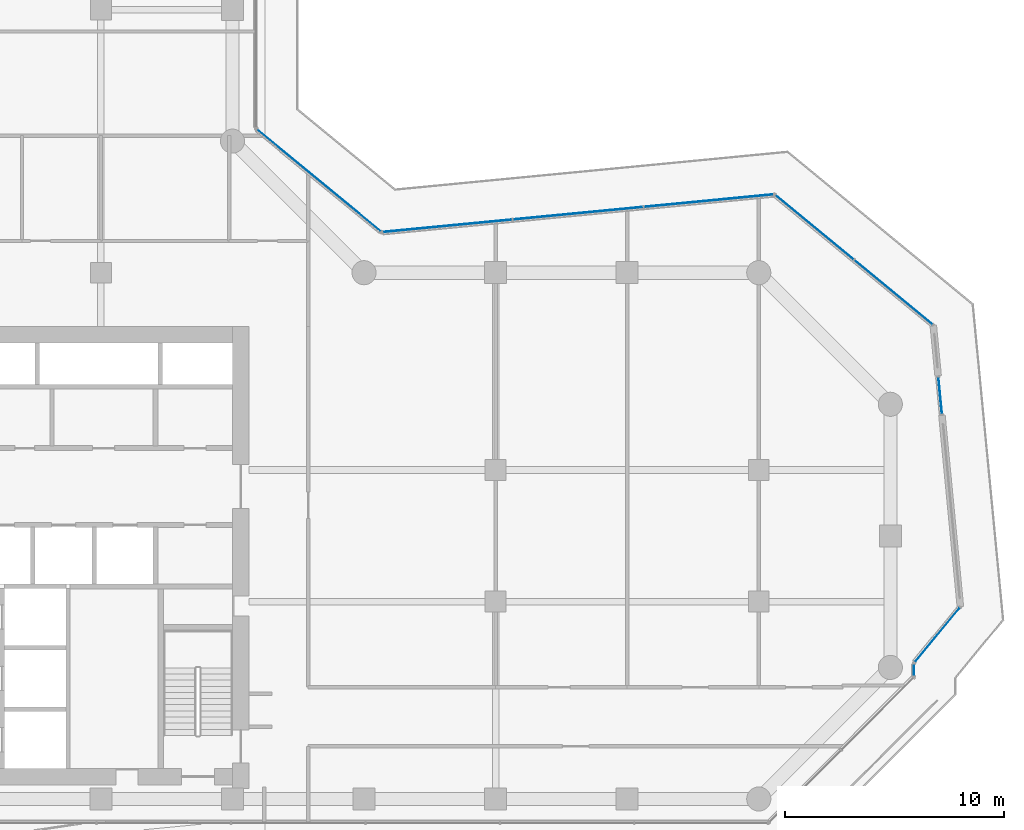
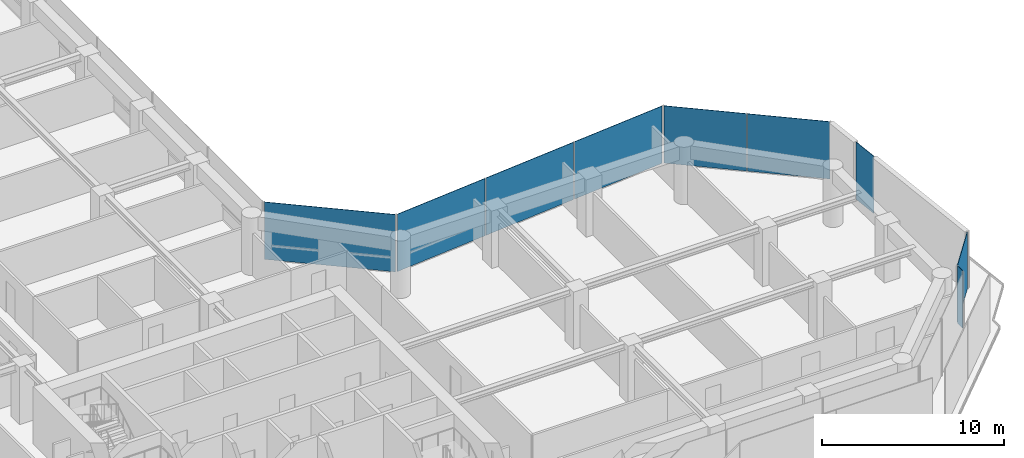
# One storey, part 21 of 28: 9 plates, 6 elements without a shape of their own.
"""IFC4 building model written with IfcOpenShell, lengths in metres."""

from ifc_helpers import new_model, si_unit, direction, frame, origin, origin_2d, place, context, subcontext, project, spatial, rectangle, extrude, material, layer, layer_set, type_object, element, aggregate, save


model = new_model("IFC4")

# Units and contexts
model_context = context("Model", 3, precision=1e-05, world=origin(), true_north=direction((0.0, 1.0)))
body_context = subcontext(model_context, "Body", "Model", "MODEL_VIEW")
ifc_project = project(units=[si_unit("LENGTHUNIT", "METRE"), si_unit("AREAUNIT", "SQUARE_METRE"), si_unit("VOLUMEUNIT", "CUBIC_METRE"), si_unit("PLANEANGLEUNIT", "RADIAN"), si_unit("MASSUNIT", "GRAM", prefix="KILO")], contexts=[model_context])

# Site, building, storey
site_placement = place(None, origin())
site = spatial("IfcSite", under=ifc_project, at=site_placement, CompositionType="ELEMENT")
building_placement = place(site_placement, origin())
building = spatial("IfcBuilding", under=site, at=building_placement, Name="Welwitschia Terrace Campus", CompositionType="ELEMENT")
storey_placement = place(building_placement, frame((0.0, 0.0, 87.800048828125)))
storey = spatial("IfcBuildingStorey", under=building, at=storey_placement, Name="L19", CompositionType="ELEMENT", Elevation=87.800048828125)

# Curtain wall, plate
ifc_material_1 = material(Name="Bronze anodised aluminium", Category="aluminium")
ifc_layer_1 = layer(ifc_material_1, 0.1201171875)
ifc_layer_set_1 = layer_set([ifc_layer_1], Name="Bronze anodised aluminium")
curtain_wall_type = type_object("IfcCurtainWallType", Name="Curtain wall CW2 tower 6000", PredefinedType="NOTDEFINED", material=ifc_layer_set_1)
curtain_wall_1_placement = place(storey_placement, origin())
curtain_wall_1 = element("IfcCurtainWall", 1, at=curtain_wall_1_placement, inside=storey, type_object=curtain_wall_type, Name="CW L19.5.0", PredefinedType="NOTDEFINED")
ifc_material_2 = material(Name="Tinted bronze-grey glass", Category="glass")
ifc_layer_2 = layer(ifc_material_2, 0.028076171875)
ifc_layer_set_2 = layer_set([ifc_layer_2], Name="Tinted bronze-grey glass")
plate_type = type_object("IfcPlateType", Name="Glass panel 28 tinted", PredefinedType="CURTAIN_PANEL", material=ifc_layer_set_2)
plate_1_placement = place(storey_placement, frame((55.0859375, 9.874267578125, 0.0), z_axis=(0.0, 0.0, 1.0), x_axis=(0.0, 1.0, 0.0)))
plate_1 = element("IfcPlate", 2, at=plate_1_placement, type_object=plate_type, Name="Panel L19.5.0.0", PredefinedType="CURTAIN_PANEL", context=body_context, shape_type="SweptSolid", body=[
    extrude(rectangle(XDim=0.5283203125, YDim=0.028076171875, at=origin_2d()), origin(), (0.0, 0.0, 1.0), 3.85009765625),
])
aggregate(curtain_wall_1, [plate_1])

curtain_wall_2_placement = place(storey_placement, origin())
curtain_wall_2 = element("IfcCurtainWall", 3, at=curtain_wall_2_placement, inside=storey, type_object=curtain_wall_type, Name="CW L19.6.0", PredefinedType="NOTDEFINED")
plate_2_placement = place(storey_placement, frame((56.143798828125, 11.481689453125, 0.0), z_axis=(0.0, 0.0, 1.0), x_axis=(0.636078220278, 0.771624583388, 0.0)))
plate_2 = element("IfcPlate", 4, at=plate_2_placement, type_object=plate_type, Name="Panel L19.6.0.0", PredefinedType="CURTAIN_PANEL", context=body_context, shape_type="SweptSolid", body=[
    extrude(rectangle(XDim=3.2060546875, YDim=0.028076171875, at=origin_2d()), origin(), (0.0, 0.0, 1.0), 3.85009765625),
])
aggregate(curtain_wall_2, [plate_2])

curtain_wall_3_placement = place(storey_placement, origin())
curtain_wall_3 = element("IfcCurtainWall", 5, at=curtain_wall_3_placement, inside=storey, type_object=curtain_wall_type, Name="CW L19.7.S0", PredefinedType="NOTDEFINED")
plate_3_placement = place(storey_placement, frame((56.2744140625, 22.395263671875, 0.0), z_axis=(0.0, 0.0, 1.0), x_axis=(-0.09584575252, 0.995396198367, 0.0)))
plate_3 = element("IfcPlate", 6, at=plate_3_placement, type_object=plate_type, Name="Panel L19.7.S0.0", PredefinedType="CURTAIN_PANEL", context=body_context, shape_type="SweptSolid", body=[
    extrude(rectangle(XDim=1.679931640625, YDim=0.028076171875, at=origin_2d()), origin(), (0.0, 0.0, 1.0), 3.85009765625),
])
aggregate(curtain_wall_3, [plate_3])

# Curtain wall, plates
curtain_wall_4_placement = place(storey_placement, origin())
curtain_wall_4 = element("IfcCurtainWall", 7, at=curtain_wall_4_placement, inside=storey, type_object=curtain_wall_type, Name="CW L19.8.0", PredefinedType="NOTDEFINED")
plate_4_placement = place(storey_placement, frame((54.143310546875, 27.107177734375, 0.0), z_axis=(0.0, 0.0, 1.0), x_axis=(-0.771624583388, 0.636078220278, 0.0)))
plate_4 = element("IfcPlate", 8, at=plate_4_placement, type_object=plate_type, Name="Panel L19.8.0.0", PredefinedType="CURTAIN_PANEL", context=body_context, shape_type="SweptSolid", body=[
    extrude(rectangle(XDim=4.6025390625, YDim=0.028076171875, at=origin_2d()), origin(), (0.0, 0.0, 1.0), 3.85009765625),
])
plate_5_placement = place(storey_placement, frame((50.545654296875, 30.072998046875, 0.0), z_axis=(0.0, 0.0, 1.0), x_axis=(-0.771624583388, 0.636078220278, 0.0)))
plate_5 = element("IfcPlate", 9, at=plate_5_placement, type_object=plate_type, Name="Panel L19.8.0.1", PredefinedType="CURTAIN_PANEL", context=body_context, shape_type="SweptSolid", body=[
    extrude(rectangle(XDim=4.6025390625, YDim=0.028076171875, at=origin_2d()), origin(), (0.0, 0.0, 1.0), 3.85009765625),
])
aggregate(curtain_wall_4, [plate_4, plate_5])

curtain_wall_5_placement = place(storey_placement, origin())
curtain_wall_5 = element("IfcCurtainWall", 10, at=curtain_wall_5_placement, inside=storey, type_object=curtain_wall_type, Name="CW L19.9.0", PredefinedType="NOTDEFINED")
plate_6_placement = place(storey_placement, frame((45.722412109375, 31.285888671875, 0.0), z_axis=(0.0, 0.0, 1.0), x_axis=(-0.995396198367, -0.09584575252, 0.0)))
plate_6 = element("IfcPlate", 11, at=plate_6_placement, type_object=plate_type, Name="Panel L19.9.0.0", PredefinedType="CURTAIN_PANEL", context=body_context, shape_type="SweptSolid", body=[
    extrude(rectangle(XDim=5.909912109375, YDim=0.028076171875, at=origin_2d()), origin(), (0.0, 0.0, 1.0), 3.85009765625),
])
plate_7_placement = place(storey_placement, frame((39.76513671875, 30.712158203125, 0.0), z_axis=(0.0, 0.0, 1.0), x_axis=(-0.995396198367, -0.09584575252, 0.0)))
plate_7 = element("IfcPlate", 12, at=plate_7_placement, type_object=plate_type, Name="Panel L19.9.0.1", PredefinedType="CURTAIN_PANEL", context=body_context, shape_type="SweptSolid", body=[
    extrude(rectangle(XDim=5.93994140625, YDim=0.028076171875, at=origin_2d()), origin(), (0.0, 0.0, 1.0), 3.85009765625),
])
plate_8_placement = place(storey_placement, frame((33.8076171875, 30.138671875, 0.0), z_axis=(0.0, 0.0, 1.0), x_axis=(-0.995396198367, -0.09584575252, 0.0)))
plate_8 = element("IfcPlate", 13, at=plate_8_placement, type_object=plate_type, Name="Panel L19.9.0.2", PredefinedType="CURTAIN_PANEL", context=body_context, shape_type="SweptSolid", body=[
    extrude(rectangle(XDim=5.909912109375, YDim=0.028076171875, at=origin_2d()), origin(), (0.0, 0.0, 1.0), 3.85009765625),
])
aggregate(curtain_wall_5, [plate_6, plate_7, plate_8])

# Curtain wall, plate
curtain_wall_6_placement = place(storey_placement, origin())
curtain_wall_6 = element("IfcCurtainWall", 14, at=curtain_wall_6_placement, inside=storey, type_object=curtain_wall_type, Name="CW L19.10.0", PredefinedType="NOTDEFINED")
plate_9_placement = place(storey_placement, frame((27.9462890625, 32.20751953125, 0.0), z_axis=(0.0, 0.0, 1.0), x_axis=(-0.771624583388, 0.636078220278, 0.0)))
plate_9 = element("IfcPlate", 15, at=plate_9_placement, type_object=plate_type, Name="Panel L19.10.0.0", PredefinedType="CURTAIN_PANEL", context=body_context, shape_type="SweptSolid", body=[
    extrude(rectangle(XDim=7.29345703125, YDim=0.028076171875, at=origin_2d()), origin(), (0.0, 0.0, 1.0), 3.85009765625),
])
aggregate(curtain_wall_6, [plate_9])

save(model, "model.ifc")
